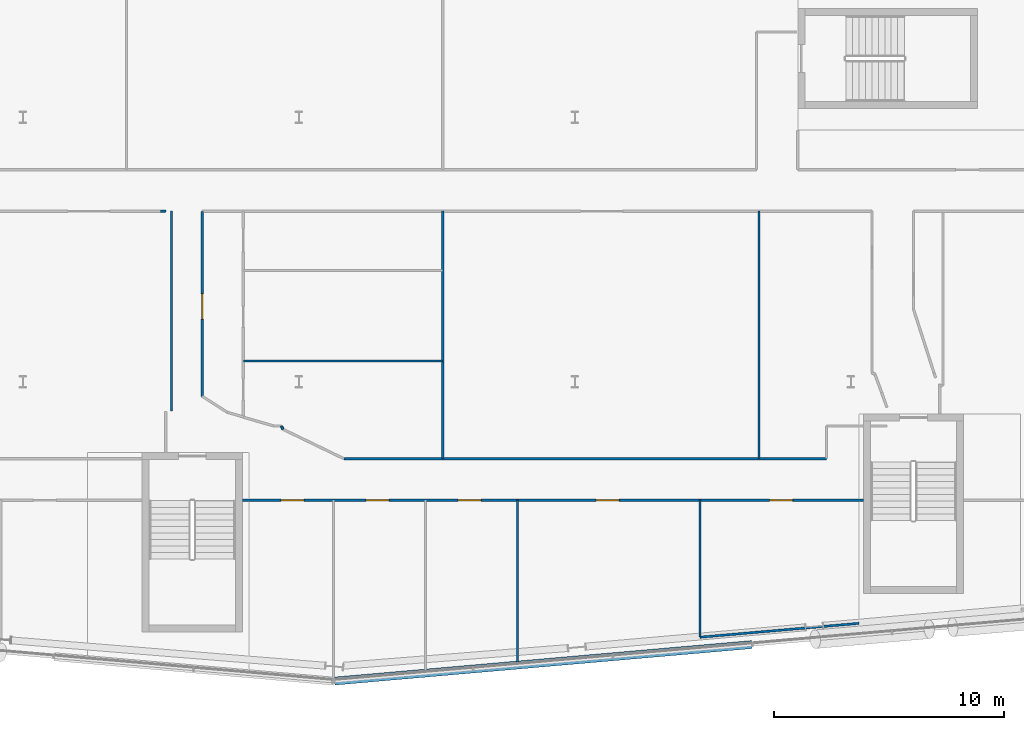
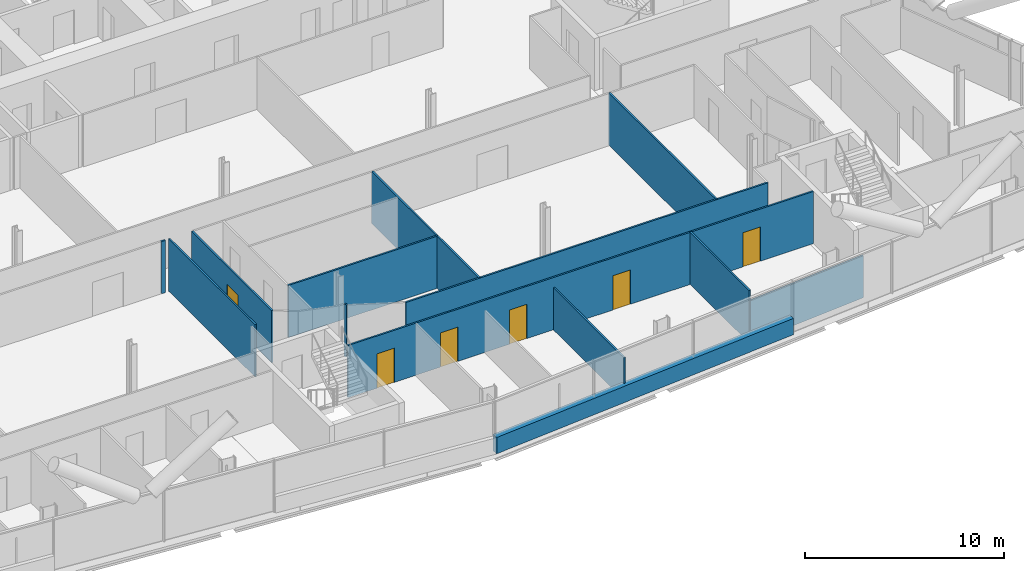
# One storey, part 16 of 28: 13 walls, 6 doors, 6 openings.
"""IFC4 building model written with IfcOpenShell, lengths in metres."""

from ifc_helpers import new_model, si_unit, direction, frame, frame_2d, origin, place, context, subcontext, project, spatial, rectangle, extrude, material, layer, layer_set, type_object, element, fill, save


model = new_model("IFC4")

# Units and contexts
model_context = context("Model", 3, precision=1e-05, world=origin(), true_north=direction((0.0, 1.0)))
body_context = subcontext(model_context, "Body", "Model", "MODEL_VIEW")
ifc_project = project(units=[si_unit("LENGTHUNIT", "METRE"), si_unit("AREAUNIT", "SQUARE_METRE"), si_unit("VOLUMEUNIT", "CUBIC_METRE"), si_unit("PLANEANGLEUNIT", "RADIAN"), si_unit("MASSUNIT", "GRAM", prefix="KILO")], contexts=[model_context])

# Site, building, storey
site_placement = place(None, origin())
site = spatial("IfcSite", under=ifc_project, at=site_placement, CompositionType="ELEMENT")
building_placement = place(site_placement, origin())
building = spatial("IfcBuilding", under=site, at=building_placement, Name="Wharfspan Tower", CompositionType="ELEMENT")
storey_placement = place(building_placement, frame((0.0, 0.0, 132.699951)))
storey = spatial("IfcBuildingStorey", under=building, at=storey_placement, Name="L31", CompositionType="ELEMENT", Elevation=132.699951)

# Walls
ifc_material_1 = material(Name="Gypsum board on steel studs", Category="steel")
ifc_layer_1 = layer(ifc_material_1, 0.100098)
ifc_layer_set_1 = layer_set([ifc_layer_1], Name="Gypsum board on steel studs")
wall_type_1 = type_object("IfcWallType", Name="Compartment wall 100 EI 60", PredefinedType="PARTITIONING", material=ifc_layer_set_1)
wall_1_placement = place(storey_placement, frame((42.209961, 18.909912, 0.0), z_axis=(0.0, 0.0, 1.0), x_axis=(-0.999736, 0.022795, 0.0)))
element("IfcWall", 1, at=wall_1_placement, inside=storey, type_object=wall_type_1, Name="Partition L31.w035", PredefinedType="PARTITIONING", context=body_context, shape_type="SweptSolid", body=[
    extrude(rectangle(XDim=0.224854, YDim=0.100098, at=frame_2d((0.112305, 0.0))), origin(), (0.0, 0.0, 1.0), 3.199951),
])
wall_2_placement = place(storey_placement, frame((42.459961, 10.215088, 0.0), z_axis=(0.0, 0.0, 1.0), x_axis=(0.0, 1.0, 0.0)))
element("IfcWall", 2, at=wall_2_placement, inside=storey, type_object=wall_type_1, Name="Partition L31.w036", PredefinedType="PARTITIONING", context=body_context, shape_type="SweptSolid", body=[
    extrude(rectangle(XDim=8.694824, YDim=0.100098, at=frame_2d((4.347412, 0.0))), origin(), (0.0, 0.0, 1.0), 3.199951),
])

# Wall, opening, door
wall_3_placement = place(storey_placement, frame((43.794922, 10.86499, 0.0), z_axis=(0.0, 0.0, 1.0), x_axis=(0.0, 1.0, 0.0)))
wall_3 = element("IfcWall", 3, at=wall_3_placement, inside=storey, type_object=wall_type_1, Name="Partition L31.w037", PredefinedType="PARTITIONING", context=body_context, shape_type="SweptSolid", body=[
    extrude(rectangle(XDim=8.040039, YDim=0.100098, at=frame_2d((4.02002, 0.0))), origin(), (0.0, 0.0, 1.0), 3.199951),
])
opening_1_placement = place(wall_3_placement, frame((3.356201, 0.0, 0.0)))
opening_1 = element("IfcOpeningElement", 4, at=opening_1_placement, cuts=wall_3, Name="Opening B5-18", PredefinedType="OPENING", context=body_context, shape_type="SweptSolid", body=[
    extrude(rectangle(XDim=1.100098, YDim=2.100098, at=frame_2d((0.550049, 1.050049))), frame((0.0, 0.060059, 0.0), z_axis=(0.0, -1.0, 0.0), x_axis=(1.0, 0.0, 0.0)), (0.0, 0.0, 1.0), 0.120117),
])
ifc_material_2 = material(Name="Fire-rated timber door leaf in steel frame", Category="steel")
door_type_1 = type_object("IfcDoorType", Name="Door 1100 FD30S Left", OperationType="SINGLE_SWING_LEFT", PredefinedType="DOOR", material=ifc_material_2)
door_1_placement = place(opening_1_placement, origin())
door_1 = element("IfcDoor", 5, at=door_1_placement, inside=storey, type_object=door_type_1, Name="Door B5-18", OperationType="SINGLE_SWING_LEFT", OverallHeight=2.100098, OverallWidth=1.100098, PredefinedType="DOOR", context=body_context, shape_type="SweptSolid", body=[
    extrude(rectangle(XDim=1.100098, YDim=2.100098, at=frame_2d((0.550049, 1.050049))), frame((0.0, 0.024902, 0.0), z_axis=(0.0, -1.0, 0.0), x_axis=(1.0, 0.0, 0.0)), (0.0, 0.0, 1.0), 0.050049),
])
fill(opening_1, door_1)

# Wall, openings, doors
wall_4_placement = place(storey_placement, frame((45.5354, 6.344971, 0.0), z_axis=(0.0, 0.0, 1.0), x_axis=(1.0, 0.0, 0.0)))
wall_4 = element("IfcWall", 6, at=wall_4_placement, inside=storey, type_object=wall_type_1, Name="Partition L31.w040", PredefinedType="PARTITIONING", context=body_context, shape_type="SweptSolid", body=[
    extrude(rectangle(XDim=27.005615, YDim=0.100098, at=frame_2d((13.50293, 0.0))), origin(), (0.0, 0.0, 1.0), 3.199951),
])
opening_2_placement = place(wall_4_placement, frame((1.69458, 0.0, 0.0)))
opening_2 = element("IfcOpeningElement", 7, at=opening_2_placement, cuts=wall_4, Name="Opening B5-07", PredefinedType="OPENING", context=body_context, shape_type="SweptSolid", body=[
    extrude(rectangle(XDim=1.0, YDim=2.100098, at=frame_2d((0.5, 1.050049))), frame((0.0, 0.060059, 0.0), z_axis=(0.0, -1.0, 0.0), x_axis=(1.0, 0.0, 0.0)), (0.0, 0.0, 1.0), 0.120117),
])
opening_3_placement = place(wall_4_placement, frame((5.384766, 0.0, 0.0)))
opening_3 = element("IfcOpeningElement", 8, at=opening_3_placement, cuts=wall_4, Name="Opening B5-08", PredefinedType="OPENING", context=body_context, shape_type="SweptSolid", body=[
    extrude(rectangle(XDim=1.0, YDim=2.100098, at=frame_2d((0.5, 1.050049))), frame((0.0, 0.060059, 0.0), z_axis=(0.0, -1.0, 0.0), x_axis=(1.0, 0.0, 0.0)), (0.0, 0.0, 1.0), 0.120117),
])
opening_4_placement = place(wall_4_placement, frame((9.384766, 0.0, 0.0)))
opening_4 = element("IfcOpeningElement", 9, at=opening_4_placement, cuts=wall_4, Name="Opening B5-09", PredefinedType="OPENING", context=body_context, shape_type="SweptSolid", body=[
    extrude(rectangle(XDim=1.0, YDim=2.100098, at=frame_2d((0.5, 1.050049))), frame((0.0, 0.060059, 0.0), z_axis=(0.0, -1.0, 0.0), x_axis=(1.0, 0.0, 0.0)), (0.0, 0.0, 1.0), 0.120117),
])
opening_5_placement = place(wall_4_placement, frame((15.384766, 0.0, 0.0)))
opening_5 = element("IfcOpeningElement", 10, at=opening_5_placement, cuts=wall_4, Name="Opening B5-10", PredefinedType="OPENING", context=body_context, shape_type="SweptSolid", body=[
    extrude(rectangle(XDim=1.0, YDim=2.100098, at=frame_2d((0.5, 1.050049))), frame((0.0, 0.060059, 0.0), z_axis=(0.0, -1.0, 0.0), x_axis=(1.0, 0.0, 0.0)), (0.0, 0.0, 1.0), 0.120117),
])
opening_6_placement = place(wall_4_placement, frame((22.924805, 0.0, 0.0)))
opening_6 = element("IfcOpeningElement", 11, at=opening_6_placement, cuts=wall_4, Name="Opening B5-11", PredefinedType="OPENING", context=body_context, shape_type="SweptSolid", body=[
    extrude(rectangle(XDim=1.0, YDim=2.100098, at=frame_2d((0.5, 1.050049))), frame((0.0, 0.060059, 0.0), z_axis=(0.0, -1.0, 0.0), x_axis=(1.0, 0.0, 0.0)), (0.0, 0.0, 1.0), 0.120117),
])
door_type_2 = type_object("IfcDoorType", Name="Door 1000 FD30S Left", OperationType="SINGLE_SWING_LEFT", PredefinedType="DOOR", material=ifc_material_2)
door_2_placement = place(opening_2_placement, origin())
door_2 = element("IfcDoor", 12, at=door_2_placement, inside=storey, type_object=door_type_2, Name="Door B5-07", OperationType="SINGLE_SWING_LEFT", OverallHeight=2.100098, OverallWidth=1.0, PredefinedType="DOOR", context=body_context, shape_type="SweptSolid", body=[
    extrude(rectangle(XDim=1.0, YDim=2.100098, at=frame_2d((0.5, 1.050049))), frame((0.0, 0.024902, 0.0), z_axis=(0.0, -1.0, 0.0), x_axis=(1.0, 0.0, 0.0)), (0.0, 0.0, 1.0), 0.050049),
])
fill(opening_2, door_2)
door_3_placement = place(opening_3_placement, origin())
door_3 = element("IfcDoor", 13, at=door_3_placement, inside=storey, type_object=door_type_2, Name="Door B5-08", OperationType="SINGLE_SWING_LEFT", OverallHeight=2.100098, OverallWidth=1.0, PredefinedType="DOOR", context=body_context, shape_type="SweptSolid", body=[
    extrude(rectangle(XDim=1.0, YDim=2.100098, at=frame_2d((0.5, 1.050049))), frame((0.0, 0.024902, 0.0), z_axis=(0.0, -1.0, 0.0), x_axis=(1.0, 0.0, 0.0)), (0.0, 0.0, 1.0), 0.050049),
])
fill(opening_3, door_3)
door_4_placement = place(opening_4_placement, origin())
door_4 = element("IfcDoor", 14, at=door_4_placement, inside=storey, type_object=door_type_2, Name="Door B5-09", OperationType="SINGLE_SWING_LEFT", OverallHeight=2.100098, OverallWidth=1.0, PredefinedType="DOOR", context=body_context, shape_type="SweptSolid", body=[
    extrude(rectangle(XDim=1.0, YDim=2.100098, at=frame_2d((0.5, 1.050049))), frame((0.0, 0.024902, 0.0), z_axis=(0.0, -1.0, 0.0), x_axis=(1.0, 0.0, 0.0)), (0.0, 0.0, 1.0), 0.050049),
])
fill(opening_4, door_4)
door_type_3 = type_object("IfcDoorType", Name="Door 1000 FD30S Right", OperationType="SINGLE_SWING_RIGHT", PredefinedType="DOOR", material=ifc_material_2)
door_5_placement = place(opening_5_placement, origin())
door_5 = element("IfcDoor", 15, at=door_5_placement, inside=storey, type_object=door_type_3, Name="Door B5-10", OperationType="SINGLE_SWING_RIGHT", OverallHeight=2.100098, OverallWidth=1.0, PredefinedType="DOOR", context=body_context, shape_type="SweptSolid", body=[
    extrude(rectangle(XDim=1.0, YDim=2.100098, at=frame_2d((0.5, 1.050049))), frame((0.0, 0.024902, 0.0), z_axis=(0.0, -1.0, 0.0), x_axis=(1.0, 0.0, 0.0)), (0.0, 0.0, 1.0), 0.050049),
])
fill(opening_5, door_5)
door_6_placement = place(opening_6_placement, origin())
door_6 = element("IfcDoor", 16, at=door_6_placement, inside=storey, type_object=door_type_3, Name="Door B5-11", OperationType="SINGLE_SWING_RIGHT", OverallHeight=2.100098, OverallWidth=1.0, PredefinedType="DOOR", context=body_context, shape_type="SweptSolid", body=[
    extrude(rectangle(XDim=1.0, YDim=2.100098, at=frame_2d((0.5, 1.050049))), frame((0.0, 0.024902, 0.0), z_axis=(0.0, -1.0, 0.0), x_axis=(1.0, 0.0, 0.0)), (0.0, 0.0, 1.0), 0.050049),
])
fill(opening_6, door_6)

# Walls
wall_5_placement = place(storey_placement, frame((47.304932, 9.429932, 0.0), z_axis=(0.0, 0.0, 1.0), x_axis=(-0.459377, 0.888236, 0.0)))
element("IfcWall", 17, at=wall_5_placement, inside=storey, type_object=wall_type_1, Name="Partition L31.w047", PredefinedType="PARTITIONING", context=body_context, shape_type="SweptSolid", body=[
    extrude(rectangle(XDim=0.1521, YDim=0.100098, at=frame_2d((0.076172, 0.0))), origin(), (0.0, 0.0, 1.0), 3.199951),
])
wall_6_placement = place(storey_placement, frame((49.955078, 8.149902, 0.0), z_axis=(0.0, 0.0, 1.0), x_axis=(1.0, 0.0, 0.0)))
element("IfcWall", 18, at=wall_6_placement, inside=storey, type_object=wall_type_1, Name="Partition L31.w050", PredefinedType="PARTITIONING", context=body_context, shape_type="SweptSolid", body=[
    extrude(rectangle(XDim=20.984863, YDim=0.100098, at=frame_2d((10.492432, 0.0))), origin(), (0.0, 0.0, 1.0), 3.199951),
])
wall_7_placement = place(storey_placement, frame((54.25, 8.149902, 0.0), z_axis=(0.0, 0.0, 1.0), x_axis=(0.0, 1.0, 0.0)))
element("IfcWall", 19, at=wall_7_placement, inside=storey, type_object=wall_type_1, Name="Partition L31.w052", PredefinedType="PARTITIONING", context=body_context, shape_type="SweptSolid", body=[
    extrude(rectangle(XDim=10.765137, YDim=0.100098, at=frame_2d((5.382568, 0.0))), origin(), (0.0, 0.0, 1.0), 3.199951),
])
wall_8_placement = place(storey_placement, frame((57.5, -0.79834, 0.0), z_axis=(0.0, 0.0, 1.0), x_axis=(0.0, 1.0, 0.0)))
element("IfcWall", 20, at=wall_8_placement, inside=storey, type_object=wall_type_1, Name="Partition L31.w054", PredefinedType="PARTITIONING", context=body_context, shape_type="SweptSolid", body=[
    extrude(rectangle(XDim=7.143311, YDim=0.100098, at=frame_2d((3.571777, 0.0))), origin(), (0.0, 0.0, 1.0), 2.580078),
])
wall_9_placement = place(storey_placement, frame((65.439941, 0.389893, 0.0), z_axis=(0.0, 0.0, 1.0), x_axis=(0.0, 1.0, 0.0)))
element("IfcWall", 21, at=wall_9_placement, inside=storey, type_object=wall_type_1, Name="Partition L31.w057", PredefinedType="PARTITIONING", context=body_context, shape_type="SweptSolid", body=[
    extrude(rectangle(XDim=5.955078, YDim=0.100098, at=frame_2d((2.977539, 0.0))), origin(), (0.0, 0.0, 1.0), 3.199951),
])
wall_10_placement = place(storey_placement, frame((68.0, 8.149902, 0.0), z_axis=(0.0, 0.0, 1.0), x_axis=(0.0, 1.0, 0.0)))
element("IfcWall", 22, at=wall_10_placement, inside=storey, type_object=wall_type_1, Name="Partition L31.w060", PredefinedType="PARTITIONING", context=body_context, shape_type="SweptSolid", body=[
    extrude(rectangle(XDim=10.765137, YDim=0.100098, at=frame_2d((5.382568, 0.0))), origin(), (0.0, 0.0, 1.0), 3.199951),
])
ifc_layer_2 = layer(ifc_material_1, 0.100098)
ifc_layer_set_2 = layer_set([ifc_layer_2], Name="Gypsum board on steel studs")
wall_type_2 = type_object("IfcWallType", Name="Partition 100", PredefinedType="PARTITIONING", material=ifc_layer_set_2)
wall_11_placement = place(storey_placement, frame((45.584961, 12.399902, 0.0), z_axis=(0.0, 0.0, 1.0), x_axis=(1.0, 0.0, 0.0)))
element("IfcWall", 23, at=wall_11_placement, inside=storey, type_object=wall_type_2, Name="Partition L31.w042", PredefinedType="PARTITIONING", context=body_context, shape_type="SweptSolid", body=[
    extrude(rectangle(XDim=8.665039, YDim=0.100098, at=frame_2d((4.33252, 0.0))), origin(), (0.0, 0.0, 1.0), 3.199951),
])
wall_12_placement = place(storey_placement, frame((65.439941, 0.389893, 0.0), z_axis=(0.0, 0.0, 1.0), x_axis=(0.996218, 0.086937, 0.0)))
element("IfcWall", 24, at=wall_12_placement, inside=storey, type_object=wall_type_2, Name="Partition L31.w056", PredefinedType="PARTITIONING", context=body_context, shape_type="SweptSolid", body=[
    extrude(rectangle(XDim=6.930664, YDim=0.100098, at=frame_2d((3.465332, 0.0))), origin(), (0.0, 0.0, 1.0), 2.580078),
])
ifc_material_3 = material(Name="Concrete C40/50", Category="concrete")
ifc_layer_3 = layer(ifc_material_3, 0.350098)
ifc_layer_set_3 = layer_set([ifc_layer_3], Name="Concrete C40/50")
wall_type_3 = type_object("IfcWallType", Name="SPANDREL EXPOSED CONCRETE 350", PredefinedType="SOLIDWALL", material=ifc_layer_set_3)
wall_13_placement = place(storey_placement, frame((49.54541, -1.519287, 0.0), z_axis=(0.0, 0.0, 1.0), x_axis=(0.996191, 0.087151, 0.0)))
element("IfcWall", 25, at=wall_13_placement, inside=storey, type_object=wall_type_3, Name="Spandrel upstand L31 S2 1", PredefinedType="SOLIDWALL", context=body_context, shape_type="SweptSolid", body=[
    extrude(rectangle(XDim=18.20874, YDim=0.350098, at=frame_2d((9.104492, 0.0))), origin(), (0.0, 0.0, 1.0), 1.0),
])

save(model, "model.ifc")
